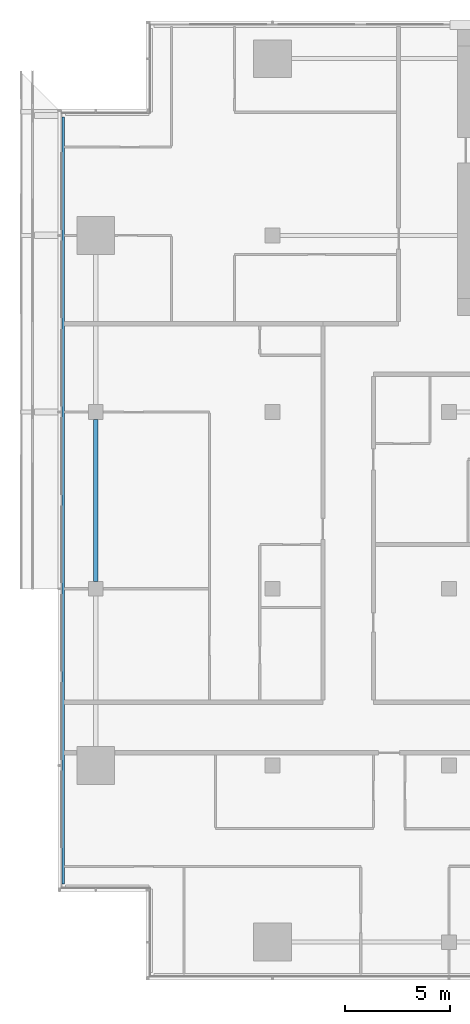
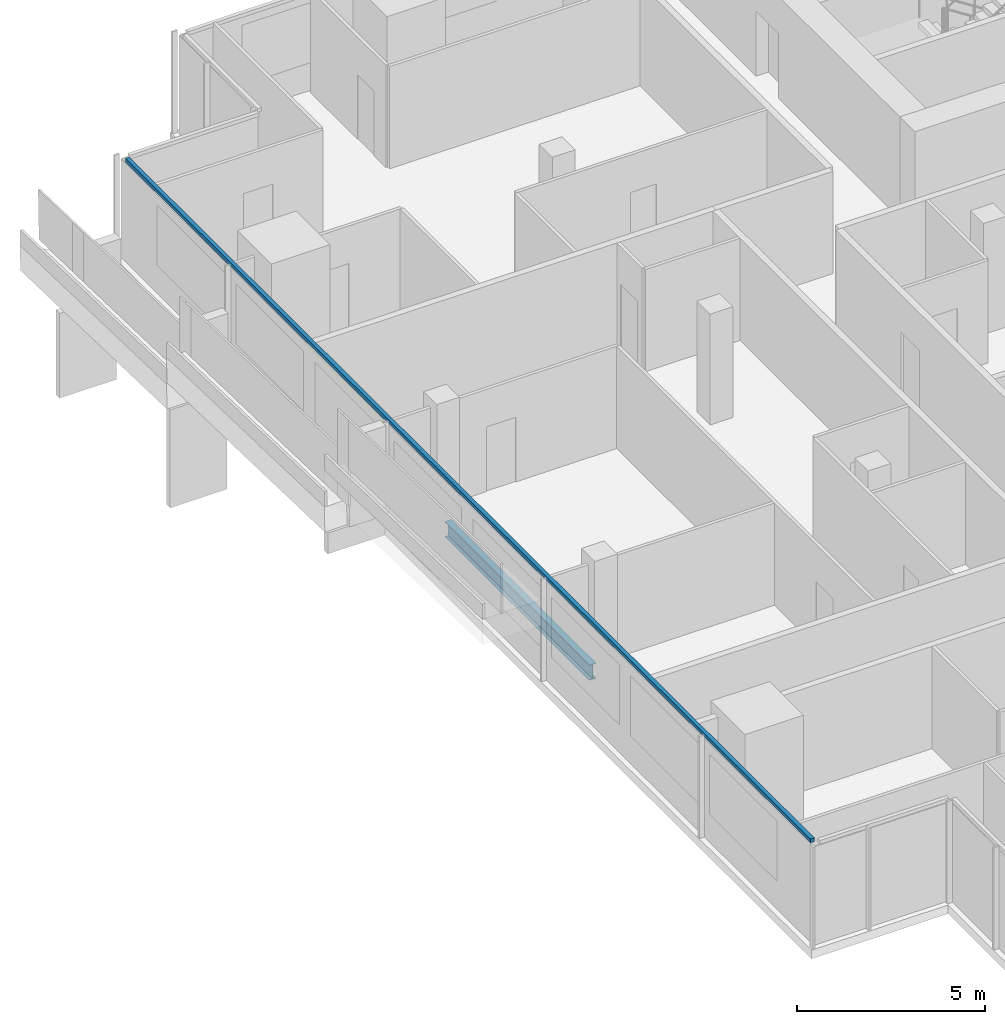
# One storey, part 3 of 27: 1 beam, 1 member, 1 element without a shape of its own.
"""IFC4 building model written with IfcOpenShell, lengths in metres."""

from ifc_helpers import new_model, si_unit, direction, frame, origin, origin_2d, place, context, subcontext, project, spatial, rectangle, i_section, extrude, material, material_profile, profile_set, type_object, element, aggregate, save


model = new_model("IFC4")

# Units and contexts
model_context = context("Model", 3, precision=1e-05, world=origin(), true_north=direction((0.0, 1.0)))
body_context = subcontext(model_context, "Body", "Model", "MODEL_VIEW")
ifc_project = project(units=[si_unit("LENGTHUNIT", "METRE"), si_unit("AREAUNIT", "SQUARE_METRE"), si_unit("VOLUMEUNIT", "CUBIC_METRE"), si_unit("PLANEANGLEUNIT", "RADIAN"), si_unit("MASSUNIT", "GRAM", prefix="KILO")], contexts=[model_context])

# Site, building, storey
site_placement = place(None, origin())
site = spatial("IfcSite", under=ifc_project, at=site_placement, CompositionType="ELEMENT")
building_placement = place(site_placement, origin())
building = spatial("IfcBuilding", under=site, at=building_placement, Name="Saffron Gate Tower", CompositionType="ELEMENT")
storey_placement = place(building_placement, frame((0.0, 0.0, 183.449951171875)))
storey = spatial("IfcBuildingStorey", under=building, at=storey_placement, Name="L45", CompositionType="ELEMENT", Elevation=183.449951171875)

# Beam
ifc_material_1 = material(Name="Structural steel S355", Category="steel")
ifc_material_profile_1 = material_profile(ifc_material_1, i_section(OverallWidth=0.199951171875, OverallDepth=0.5, WebThickness=0.01025390625, FlangeThickness=0.01611328125, FilletRadius=0.02099609375, at=origin_2d()))
ifc_profile_set_1 = profile_set([ifc_material_profile_1], Name="Structural steel S355")
beam_type = type_object("IfcBeamType", Name="B11 IPE 500", PredefinedType="SPANDREL", material=ifc_profile_set_1)
beam_placement = place(storey_placement, frame((49.800048828125, 48.949951171875, -0.530029296875), z_axis=(0.0, 1.0, 0.0), x_axis=(-1.0, 0.0, 0.0)))
element("IfcBeam", 1, at=beam_placement, inside=storey, type_object=beam_type, Name="B11 SPANDREL BEAM", PredefinedType="SPANDREL", context=body_context, shape_type="SweptSolid", body=[
    extrude(i_section(OverallWidth=0.199951171875, OverallDepth=0.5, WebThickness=0.01025390625, FlangeThickness=0.01611328125, FilletRadius=0.02099609375, at=origin_2d()), origin(), (0.0, 0.0, 1.0), 7.699951171875),
])

# Curtain wall, member
ifc_material_2 = material(Name="Aluminium, bronze anodised", Category="aluminium")
curtain_wall_type = type_object("IfcCurtainWallType", Name="CWS2 curtain wall side facades", PredefinedType="NOTDEFINED", material=ifc_material_2)
curtain_wall_placement = place(storey_placement, origin())
curtain_wall = element("IfcCurtainWall", 2, at=curtain_wall_placement, inside=storey, type_object=curtain_wall_type, Name="CWS2 run 10", PredefinedType="NOTDEFINED")
ifc_material_profile_2 = material_profile(ifc_material_2, rectangle(XDim=0.1201171875, YDim=0.1201171875, at=origin_2d()))
ifc_profile_set_2 = profile_set([ifc_material_profile_2], Name="Aluminium, bronze anodised")
member_type = type_object("IfcMemberType", Name="CWS2 head transom", PredefinedType="USERDEFINED", material=ifc_profile_set_2)
member_placement = place(storey_placement, frame((48.248046875, 71.031982421875, 3.260009765625), z_axis=(0.0, -1.0, 0.0), x_axis=(1.0, 0.0, 0.0)))
member = element("IfcMember", 3, at=member_placement, type_object=member_type, Name="CWS2 head transom", ObjectType="TRANSOM", PredefinedType="USERDEFINED", context=body_context, shape_type="SweptSolid", body=[
    extrude(rectangle(XDim=0.1201171875, YDim=0.1201171875, at=origin_2d()), origin(), (0.0, 0.0, 1.0), 36.4638671875),
])
aggregate(curtain_wall, [member])

save(model, "model.ifc")
